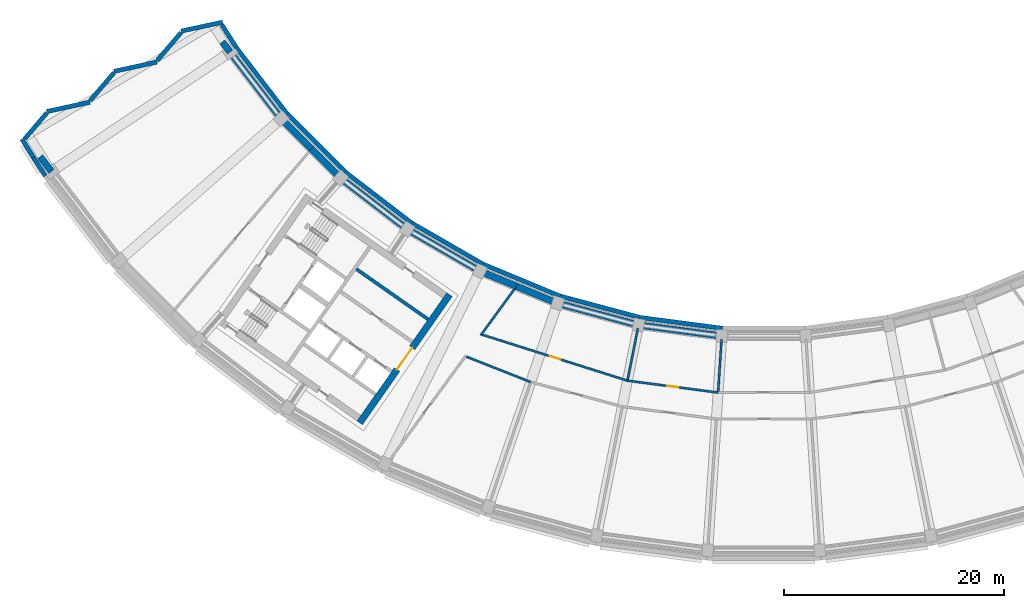
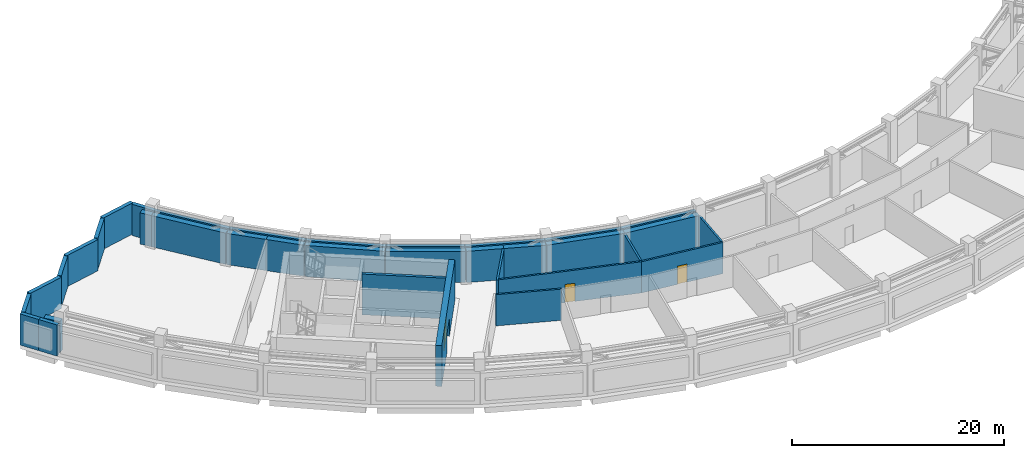
# One storey, part 6 of 24: 35 walls, 3 doors, 3 openings.
"""IFC4 building model written with IfcOpenShell, lengths in metres."""

from ifc_helpers import new_model, si_unit, direction, frame, frame_2d, origin, place, context, subcontext, project, spatial, rectangle, extrude, material, layer, layer_set, type_object, element, fill, save


model = new_model("IFC4")

# Units and contexts
model_context = context("Model", 3, precision=1e-05, world=origin(), true_north=direction((0.0, 1.0)))
body_context = subcontext(model_context, "Body", "Model", "MODEL_VIEW")
ifc_project = project(units=[si_unit("LENGTHUNIT", "METRE"), si_unit("AREAUNIT", "SQUARE_METRE"), si_unit("VOLUMEUNIT", "CUBIC_METRE"), si_unit("PLANEANGLEUNIT", "RADIAN"), si_unit("MASSUNIT", "GRAM", prefix="KILO")], contexts=[model_context])

# Site, building, storey
site_placement = place(None, origin())
site = spatial("IfcSite", under=ifc_project, at=site_placement, CompositionType="ELEMENT")
building_placement = place(site_placement, origin())
building = spatial("IfcBuilding", under=site, at=building_placement, Name="Qamariyya Broadcast Tower", CompositionType="ELEMENT")
storey_placement = place(building_placement, frame((0.0, 0.0, 253.10009765625)))
storey = spatial("IfcBuildingStorey", under=building, at=storey_placement, Name="L61", CompositionType="ELEMENT", Elevation=253.10009765625)

# Wall, opening, door
ifc_material_1 = material(Name="Concrete C60/75", Category="concrete")
ifc_layer_1 = layer(ifc_material_1, 0.60009765625)
ifc_layer_set_1 = layer_set([ifc_layer_1], Name="Core wall 600 mm Concrete C60/75")
wall_type_1 = type_object("IfcWallType", Name="Core wall 600 mm Concrete C60/75", PredefinedType="SHEAR", material=ifc_layer_set_1)
wall_1_placement = place(storey_placement, frame((-36.66748046875, -66.005126953125, 0.0), z_axis=(0.0, 0.0, 1.0), x_axis=(0.573568499524, 0.819157601658, 0.0)))
wall_1 = element("IfcWall", 1, at=wall_1_placement, inside=storey, type_object=wall_type_1, Name="k-W-L61-WA", PredefinedType="SHEAR", context=body_context, shape_type="SweptSolid", body=[
    extrude(rectangle(XDim=14.19970703125, YDim=0.60009765625, at=frame_2d((7.099853515625, 0.0))), origin(), (0.0, 0.0, 1.0), 4.699951171875),
])
opening_1_placement = place(wall_1_placement, frame((5.89990234375, 0.0, 0.0)))
opening_1 = element("IfcOpeningElement", 2, at=opening_1_placement, cuts=wall_1, Name="Opening KD3-W1", PredefinedType="OPENING", context=body_context, shape_type="SweptSolid", body=[
    extrude(rectangle(XDim=2.39990234375, YDim=2.10009765625, at=frame_2d((1.199951171875, 1.050048828125))), frame((0.0, 0.31005859375, 0.0), z_axis=(0.0, -1.0, 0.0), x_axis=(1.0, 0.0, 0.0)), (0.0, 0.0, 1.0), 0.6201171875),
])
ifc_material_2 = material(Name="Steel fire-resisting door leaf", Category="steel")
door_type_1 = type_object("IfcDoorType", Name="Lift lobby door KD3", OperationType="DOUBLE_DOOR_SINGLE_SWING", PredefinedType="DOOR", material=ifc_material_2)
door_1_placement = place(opening_1_placement, origin())
door_1 = element("IfcDoor", 3, at=door_1_placement, inside=storey, type_object=door_type_1, Name="k-W-L61-WA-D1", OperationType="DOUBLE_DOOR_SINGLE_SWING", OverallHeight=2.10009765625, OverallWidth=2.39990234375, PredefinedType="DOOR", context=body_context, shape_type="SweptSolid", body=[
    extrude(rectangle(XDim=2.39990234375, YDim=2.10009765625, at=frame_2d((1.199951171875, 1.050048828125))), frame((0.0, 0.02490234375, 0.0), z_axis=(0.0, -1.0, 0.0), x_axis=(1.0, 0.0, 0.0)), (0.0, 0.0, 1.0), 0.050048828125),
])
fill(opening_1, door_1)

# Walls
ifc_layer_2 = layer(ifc_material_1, 0.300048828125)
ifc_layer_set_2 = layer_set([ifc_layer_2], Name="Lift shaft wall 300 mm Concrete C60/75")
wall_type_2 = type_object("IfcWallType", Name="Lift shaft wall 300 mm Concrete C60/75", PredefinedType="SOLIDWALL", material=ifc_layer_set_2)
wall_2_placement = place(storey_placement, frame((-30.460693359375, -56.61767578125, 0.0), z_axis=(0.0, 0.0, 1.0), x_axis=(-0.819142461705, 0.573590121456, 0.0)))
element("IfcWall", 4, at=wall_2_placement, inside=storey, type_object=wall_type_2, Name="k-W-L61-NB0", PredefinedType="SOLIDWALL", context=body_context, shape_type="SweptSolid", body=[
    extrude(rectangle(XDim=7.949951171875, YDim=0.300048828125, at=frame_2d((3.97509765625, 0.0))), origin(), (0.0, 0.0, 1.0), 4.699951171875),
])
ifc_material_3 = material(Name="Masonry block wall", Category="masonry")
ifc_layer_3 = layer(ifc_material_3, 0.199951171875)
ifc_layer_set_3 = layer_set([ifc_layer_3], Name="Plant room wall 200 EI 120")
wall_type_3 = type_object("IfcWallType", Name="Plant room wall 200 EI 120", PredefinedType="PARTITIONING", material=ifc_layer_set_3)
wall_3_placement = place(storey_placement, frame((-26.984619140625, -60.007080078125, 0.0), z_axis=(0.0, 0.0, 1.0), x_axis=(0.930256649469, -0.366909479463, 0.0)))
element("IfcWall", 5, at=wall_3_placement, inside=storey, type_object=wall_type_3, Name="Partition L61-016", PredefinedType="PARTITIONING", context=body_context, shape_type="SweptSolid", body=[
    extrude(rectangle(XDim=6.271484375, YDim=0.199951171875, at=frame_2d((3.1357421875, 0.0))), origin(), (0.0, 0.0, 1.0), 3.599853515625),
])

# Wall, opening, door
wall_4_placement = place(storey_placement, frame((-25.536376953125, -58.017822265625, 0.0), z_axis=(0.0, 0.0, 1.0), x_axis=(0.953461291076, -0.301515449719, 0.0)))
wall_4 = element("IfcWall", 6, at=wall_4_placement, inside=storey, type_object=wall_type_3, Name="Partition L61-018", PredefinedType="PARTITIONING", context=body_context, shape_type="SweptSolid", body=[
    extrude(rectangle(XDim=13.810546875, YDim=0.199951171875, at=frame_2d((6.9052734375, 0.0))), origin(), (0.0, 0.0, 1.0), 3.599853515625),
])
opening_2_placement = place(wall_4_placement, frame((6.4052734375, 0.0, 0.0)))
opening_2 = element("IfcOpeningElement", 7, at=opening_2_placement, cuts=wall_4, Name="Opening L61-D08", PredefinedType="OPENING", context=body_context, shape_type="SweptSolid", body=[
    extrude(rectangle(XDim=1.0, YDim=2.10009765625, at=frame_2d((0.5, 1.050048828125))), frame((0.0, 0.10986328125, 0.0), z_axis=(0.0, -1.0, 0.0), x_axis=(1.0, 0.0, 0.0)), (0.0, 0.0, 1.0), 0.219970703125),
])
ifc_material_4 = material(Name="Insulated metal door leaf")
door_type_2 = type_object("IfcDoorType", Name="Plant door 1000 x 2100 FD120", OperationType="NOTDEFINED", PredefinedType="DOOR", material=ifc_material_4)
door_2_placement = place(opening_2_placement, origin())
door_2 = element("IfcDoor", 8, at=door_2_placement, inside=storey, type_object=door_type_2, Name="Door L61-D08", OperationType="SINGLE_SWING_RIGHT", OverallHeight=2.10009765625, OverallWidth=1.0, PredefinedType="DOOR", context=body_context, shape_type="SweptSolid", body=[
    extrude(rectangle(XDim=1.0, YDim=2.10009765625, at=frame_2d((0.5, 1.050048828125))), frame((0.0, 0.02490234375, 0.0), z_axis=(0.0, -1.0, 0.0), x_axis=(1.0, 0.0, 0.0)), (0.0, 0.0, 1.0), 0.050048828125),
])
fill(opening_2, door_2)

# Wall
wall_5_placement = place(storey_placement, frame((-22.62109375, -53.85986328125, 0.0), z_axis=(0.0, 0.0, 1.0), x_axis=(-0.589260761918, -0.80794291535, 0.0)))
element("IfcWall", 9, at=wall_5_placement, inside=storey, type_object=wall_type_3, Name="Partition L61-021", PredefinedType="PARTITIONING", context=body_context, shape_type="SweptSolid", body=[
    extrude(rectangle(XDim=5.209228515625, YDim=0.199951171875, at=frame_2d((2.6044921875, 0.0))), origin(), (0.0, 0.0, 1.0), 3.599853515625),
])

# Wall, opening, door
wall_6_placement = place(storey_placement, frame((-12.36865234375, -62.181884765625, 0.0), z_axis=(0.0, 0.0, 1.0), x_axis=(0.991447881484, -0.130503250152, 0.0)))
wall_6 = element("IfcWall", 10, at=wall_6_placement, inside=storey, type_object=wall_type_3, Name="Partition L61-028", PredefinedType="PARTITIONING", context=body_context, shape_type="SweptSolid", body=[
    extrude(rectangle(XDim=8.293212890625, YDim=0.199951171875, at=frame_2d((4.146484375, 0.0))), origin(), (0.0, 0.0, 1.0), 3.599853515625),
])
opening_3_placement = place(wall_6_placement, frame((3.646484375, 0.0, 0.0)))
opening_3 = element("IfcOpeningElement", 11, at=opening_3_placement, cuts=wall_6, Name="Opening L61-D09", PredefinedType="OPENING", context=body_context, shape_type="SweptSolid", body=[
    extrude(rectangle(XDim=1.0, YDim=2.10009765625, at=frame_2d((0.5, 1.050048828125))), frame((0.0, 0.10986328125, 0.0), z_axis=(0.0, -1.0, 0.0), x_axis=(1.0, 0.0, 0.0)), (0.0, 0.0, 1.0), 0.219970703125),
])
door_3_placement = place(opening_3_placement, origin())
door_3 = element("IfcDoor", 12, at=door_3_placement, inside=storey, type_object=door_type_2, Name="Door L61-D09", OperationType="SINGLE_SWING_RIGHT", OverallHeight=2.10009765625, OverallWidth=1.0, PredefinedType="DOOR", context=body_context, shape_type="SweptSolid", body=[
    extrude(rectangle(XDim=1.0, YDim=2.10009765625, at=frame_2d((0.5, 1.050048828125))), frame((0.0, 0.02490234375, 0.0), z_axis=(0.0, -1.0, 0.0), x_axis=(1.0, 0.0, 0.0)), (0.0, 0.0, 1.0), 0.050048828125),
])
fill(opening_3, door_3)

# Walls
wall_7_placement = place(storey_placement, frame((-11.422607421875, -57.425048828125, 0.0), z_axis=(0.0, 0.0, 1.0), x_axis=(-0.195058392203, -0.980791631098, 0.0)))
element("IfcWall", 13, at=wall_7_placement, inside=storey, type_object=wall_type_3, Name="Partition L61-029", PredefinedType="PARTITIONING", context=body_context, shape_type="SweptSolid", body=[
    extrude(rectangle(XDim=4.75, YDim=0.199951171875, at=frame_2d((2.375, 0.0))), origin(), (0.0, 0.0, 1.0), 3.599853515625),
])
wall_8_placement = place(storey_placement, frame((-3.829345703125, -58.424560546875, 0.0), z_axis=(0.0, 0.0, 1.0), x_axis=(-0.065427369886, -0.997857334126, 0.0)))
element("IfcWall", 14, at=wall_8_placement, inside=storey, type_object=wall_type_3, Name="Partition L61-035", PredefinedType="PARTITIONING", context=body_context, shape_type="SweptSolid", body=[
    extrude(rectangle(XDim=4.750244140625, YDim=0.199951171875, at=frame_2d((2.375, 0.0))), origin(), (0.0, 0.0, 1.0), 3.599853515625),
])
ifc_material_5 = material(Name="Terracotta", Category="masonry")
ifc_layer_4 = layer(ifc_material_5, 0.39990234375)
ifc_layer_set_4 = layer_set([ifc_layer_4], Name="Terracotta clad plant wall 400")
wall_type_4 = type_object("IfcWallType", Name="Terracotta clad plant wall 400", PredefinedType="SOLIDWALL", material=ifc_layer_set_4)
wall_9_placement = place(storey_placement, frame((-49.119873046875, -29.6435546875, 0.0), z_axis=(0.0, 0.0, 1.0), x_axis=(-0.977521044082, -0.210837872253, 0.0)))
element("IfcWall", 15, at=wall_9_placement, inside=storey, type_object=wall_type_4, Name="e-wl-L61-capW0", PredefinedType="SOLIDWALL", context=body_context, shape_type="SweptSolid", body=[
    extrude(rectangle(XDim=3.833984375, YDim=0.39990234375, at=frame_2d((1.9169921875, 0.0))), origin(), (0.0, 0.0, 1.0), 3.599853515625),
])
wall_10_placement = place(storey_placement, frame((-52.890869140625, -30.59130859375, 0.0), z_axis=(0.0, 0.0, 1.0), x_axis=(-0.649109075573, -0.760695345068, 0.0)))
element("IfcWall", 16, at=wall_10_placement, inside=storey, type_object=wall_type_4, Name="e-wl-L61-capW1", PredefinedType="SOLIDWALL", context=body_context, shape_type="SweptSolid", body=[
    extrude(rectangle(XDim=3.32568359375, YDim=0.39990234375, at=frame_2d((1.662841796875, 0.0))), origin(), (0.0, 0.0, 1.0), 3.599853515625),
])
wall_11_placement = place(storey_placement, frame((-55.07275390625, -33.26025390625, 0.0), z_axis=(0.0, 0.0, 1.0), x_axis=(-0.977490521889, -0.210979334573, 0.0)))
element("IfcWall", 17, at=wall_11_placement, inside=storey, type_object=wall_type_4, Name="e-wl-L61-capW2", PredefinedType="SOLIDWALL", context=body_context, shape_type="SweptSolid", body=[
    extrude(rectangle(XDim=3.977294921875, YDim=0.39990234375, at=frame_2d((1.98876953125, 0.0))), origin(), (0.0, 0.0, 1.0), 3.599853515625),
])
wall_12_placement = place(storey_placement, frame((-58.983642578125, -34.23876953125, 0.0), z_axis=(0.0, 0.0, 1.0), x_axis=(-0.649047876816, -0.760747562337, 0.0)))
element("IfcWall", 18, at=wall_12_placement, inside=storey, type_object=wall_type_4, Name="e-wl-L61-capW3", PredefinedType="SOLIDWALL", context=body_context, shape_type="SweptSolid", body=[
    extrude(rectangle(XDim=3.324462890625, YDim=0.39990234375, at=frame_2d((1.662109375, 0.0))), origin(), (0.0, 0.0, 1.0), 3.599853515625),
])
wall_13_placement = place(storey_placement, frame((-61.16455078125, -36.9072265625, 0.0), z_axis=(0.0, 0.0, 1.0), x_axis=(-0.977476134156, -0.211045983511, 0.0)))
element("IfcWall", 19, at=wall_13_placement, inside=storey, type_object=wall_type_4, Name="e-wl-L61-capW4", PredefinedType="SOLIDWALL", context=body_context, shape_type="SweptSolid", body=[
    extrude(rectangle(XDim=3.978271484375, YDim=0.39990234375, at=frame_2d((1.9892578125, 0.0))), origin(), (0.0, 0.0, 1.0), 3.599853515625),
])
wall_14_placement = place(storey_placement, frame((-65.076171875, -37.88623046875, 0.0), z_axis=(0.0, 0.0, 1.0), x_axis=(-0.648973614046, -0.760810914927, 0.0)))
element("IfcWall", 20, at=wall_14_placement, inside=storey, type_object=wall_type_4, Name="e-wl-L61-capW5", PredefinedType="SOLIDWALL", context=body_context, shape_type="SweptSolid", body=[
    extrude(rectangle(XDim=3.078125, YDim=0.39990234375, at=frame_2d((1.5390625, 0.0))), origin(), (0.0, 0.0, 1.0), 3.599853515625),
])
wall_15_placement = place(storey_placement, frame((-47.869140625, -31.944580078125, 0.0), z_axis=(0.0, 0.0, 1.0), x_axis=(-0.534803050784, 0.844976743391, 0.0)))
element("IfcWall", 21, at=wall_15_placement, inside=storey, type_object=wall_type_4, Name="e-wl-L61-in00", PredefinedType="SOLIDWALL", context=body_context, shape_type="SweptSolid", body=[
    extrude(rectangle(XDim=2.42578125, YDim=0.39990234375, at=frame_2d((1.212890625, 0.0))), origin(), (0.0, 0.0, 1.0), 3.599853515625),
])
wall_16_placement = place(storey_placement, frame((-43.25341796875, -37.965576171875, 0.0), z_axis=(0.0, 0.0, 1.0), x_axis=(-0.608757884363, 0.793356060181, 0.0)))
element("IfcWall", 22, at=wall_16_placement, inside=storey, type_object=wall_type_4, Name="e-wl-L61-in10", PredefinedType="SOLIDWALL", context=body_context, shape_type="SweptSolid", body=[
    extrude(rectangle(XDim=7.56884765625, YDim=0.39990234375, at=frame_2d((3.784423828125, 0.0))), origin(), (0.0, 0.0, 1.0), 3.599853515625),
])
wall_17_placement = place(storey_placement, frame((-37.9814453125, -43.23291015625, 0.0), z_axis=(0.0, 0.0, 1.0), x_axis=(-0.707106781187, 0.707106781187, 0.0)))
element("IfcWall", 23, at=wall_17_placement, inside=storey, type_object=wall_type_4, Name="e-wl-L61-in20", PredefinedType="SOLIDWALL", context=body_context, shape_type="SweptSolid", body=[
    extrude(rectangle(XDim=7.4267578125, YDim=0.39990234375, at=frame_2d((3.71337890625, 0.0))), origin(), (0.0, 0.0, 1.0), 3.599853515625),
])
wall_18_placement = place(storey_placement, frame((-31.953369140625, -47.86669921875, 0.0), z_axis=(0.0, 0.0, 1.0), x_axis=(-0.793356365089, 0.608757486995, 0.0)))
element("IfcWall", 24, at=wall_18_placement, inside=storey, type_object=wall_type_4, Name="e-wl-L61-in30", PredefinedType="SOLIDWALL", context=body_context, shape_type="SweptSolid", body=[
    extrude(rectangle(XDim=7.578125, YDim=0.39990234375, at=frame_2d((3.7890625, 0.0))), origin(), (0.0, 0.0, 1.0), 3.599853515625),
])
wall_19_placement = place(storey_placement, frame((-25.497802734375, -51.590087890625, 0.0), z_axis=(0.0, 0.0, 1.0), x_axis=(-0.866021353871, 0.500007014591, 0.0)))
element("IfcWall", 25, at=wall_19_placement, inside=storey, type_object=wall_type_4, Name="e-wl-L61-in40", PredefinedType="SOLIDWALL", context=body_context, shape_type="SweptSolid", body=[
    extrude(rectangle(XDim=7.4267578125, YDim=0.39990234375, at=frame_2d((3.71337890625, 0.0))), origin(), (0.0, 0.0, 1.0), 3.599853515625),
])
wall_20_placement = place(storey_placement, frame((-18.475830078125, -54.505859375, 0.0), z_axis=(0.0, 0.0, 1.0), x_axis=(-0.923884115122, 0.382672368777, 0.0)))
element("IfcWall", 26, at=wall_20_placement, inside=storey, type_object=wall_type_4, Name="e-wl-L61-in50", PredefinedType="SOLIDWALL", context=body_context, shape_type="SweptSolid", body=[
    extrude(rectangle(XDim=7.578125, YDim=0.39990234375, at=frame_2d((3.7890625, 0.0))), origin(), (0.0, 0.0, 1.0), 3.599853515625),
])
wall_21_placement = place(storey_placement, frame((-11.276611328125, -56.431396484375, 0.0), z_axis=(0.0, 0.0, 1.0), x_axis=(-0.965924866111, 0.25882262851, 0.0)))
element("IfcWall", 27, at=wall_21_placement, inside=storey, type_object=wall_type_4, Name="e-wl-L61-in60", PredefinedType="SOLIDWALL", context=body_context, shape_type="SweptSolid", body=[
    extrude(rectangle(XDim=7.426513671875, YDim=0.39990234375, at=frame_2d((3.71337890625, 0.0))), origin(), (0.0, 0.0, 1.0), 3.599853515625),
])
wall_22_placement = place(storey_placement, frame((-3.7392578125, -57.430419921875, 0.0), z_axis=(0.0, 0.0, 1.0), x_axis=(-0.991446288508, 0.130515351599, 0.0)))
element("IfcWall", 28, at=wall_22_placement, inside=storey, type_object=wall_type_4, Name="e-wl-L61-in70", PredefinedType="SOLIDWALL", context=body_context, shape_type="SweptSolid", body=[
    extrude(rectangle(XDim=7.57763671875, YDim=0.39990234375, at=frame_2d((3.788818359375, 0.0))), origin(), (0.0, 0.0, 1.0), 3.599853515625),
])
wall_23_placement = place(storey_placement, frame((-67.335693359375, -40.25537109375, 0.0), z_axis=(0.0, 0.0, 1.0), x_axis=(0.534789845783, -0.844985100962, 0.0)))
element("IfcWall", 29, at=wall_23_placement, inside=storey, type_object=wall_type_4, Name="e-wl-L61-out00", PredefinedType="SOLIDWALL", context=body_context, shape_type="SweptSolid", body=[
    extrude(rectangle(XDim=1.99365234375, YDim=0.39990234375, at=frame_2d((0.996826171875, 0.0))), origin(), (0.0, 0.0, 1.0), 3.599853515625),
])
wall_24_placement = place(storey_placement, frame((-66.26953125, -41.93994140625, 0.0), z_axis=(0.0, 0.0, 1.0), x_axis=(0.534788596857, -0.844985891404, 0.0)))
element("IfcWall", 30, at=wall_24_placement, inside=storey, type_object=wall_type_4, Name="e-wl-L61-out01", PredefinedType="SOLIDWALL", context=body_context, shape_type="SweptSolid", body=[
    extrude(rectangle(XDim=1.962158203125, YDim=0.39990234375, at=frame_2d((0.98095703125, 0.0))), origin(), (0.0, 0.0, 1.0), 3.599853515625),
])
ifc_layer_5 = layer(ifc_material_3, 0.60009765625)
ifc_layer_set_5 = layer_set([ifc_layer_5], Name="Truss casing wall 600 EI 120")
wall_type_5 = type_object("IfcWallType", Name="Truss casing wall 600 EI 120", PredefinedType="PARTITIONING", material=ifc_layer_set_5)
wall_25_placement = place(storey_placement, frame((-65.67529296875, -41.855224609375, 0.0), z_axis=(0.0, 0.0, 1.0), x_axis=(0.608765812446, -0.793349976743, 0.0)))
element("IfcWall", 31, at=wall_25_placement, inside=storey, type_object=wall_type_5, Name="Partition L61-001", PredefinedType="PARTITIONING", context=body_context, shape_type="SweptSolid", body=[
    extrude(rectangle(XDim=1.686279296875, YDim=0.60009765625, at=frame_2d((0.84326171875, 0.0))), origin(), (0.0, 0.0, 1.0), 3.599853515625),
])
wall_26_placement = place(storey_placement, frame((-49.14697265625, -31.431640625, 0.0), z_axis=(0.0, 0.0, 1.0), x_axis=(0.608812675786, -0.793314014626, 0.0)))
element("IfcWall", 32, at=wall_26_placement, inside=storey, type_object=wall_type_5, Name="Partition L61-006", PredefinedType="PARTITIONING", context=body_context, shape_type="SweptSolid", body=[
    extrude(rectangle(XDim=1.169677734375, YDim=0.60009765625, at=frame_2d((0.5849609375, 0.0))), origin(), (0.0, 0.0, 1.0), 3.599853515625),
])
wall_27_placement = place(storey_placement, frame((-48.431396484375, -32.3642578125, 0.0), z_axis=(0.0, 0.0, 1.0), x_axis=(0.608775025132, -0.793342907434, 0.0)))
element("IfcWall", 33, at=wall_27_placement, inside=storey, type_object=wall_type_5, Name="Partition L61-007", PredefinedType="PARTITIONING", context=body_context, shape_type="SweptSolid", body=[
    extrude(rectangle(XDim=7.593994140625, YDim=0.60009765625, at=frame_2d((3.796875, 0.0))), origin(), (0.0, 0.0, 1.0), 3.599853515625),
])
wall_28_placement = place(storey_placement, frame((-43.778564453125, -38.4228515625, 0.0), z_axis=(0.0, 0.0, 1.0), x_axis=(0.707075152498, -0.707138408461, 0.0)))
element("IfcWall", 34, at=wall_28_placement, inside=storey, type_object=wall_type_5, Name="Partition L61-008", PredefinedType="PARTITIONING", context=body_context, shape_type="SweptSolid", body=[
    extrude(rectangle(XDim=3.859619140625, YDim=0.60009765625, at=frame_2d((1.9296875, 0.0))), origin(), (0.0, 0.0, 1.0), 3.599853515625),
])
wall_29_placement = place(storey_placement, frame((-41.049560546875, -41.152099609375, 0.0), z_axis=(0.0, 0.0, 1.0), x_axis=(0.707139643126, -0.70707391772, 0.0)))
element("IfcWall", 35, at=wall_29_placement, inside=storey, type_object=wall_type_5, Name="Partition L61-011", PredefinedType="PARTITIONING", context=body_context, shape_type="SweptSolid", body=[
    extrude(rectangle(XDim=3.714599609375, YDim=0.60009765625, at=frame_2d((1.857421875, 0.0))), origin(), (0.0, 0.0, 1.0), 3.599853515625),
])
for number, where, z_axis, x_axis, name in (
    (36, (-38.388916015625, -43.808349609375, 0.0), (0.0, 0.0, 1.0), (0.793356751967, -0.6087569828, 0.0), "Partition L61-012"),
    (37, (-32.34228515625, -48.4443359375, 0.0), (0.0, 0.0, 1.0), (0.866020793316, -0.500007985481, 0.0), "Partition L61-014"),
):
    element("IfcWall", number, at=place(storey_placement, frame(where, z_axis=z_axis, x_axis=x_axis)), inside=storey, type_object=wall_type_5, Name=name, PredefinedType="PARTITIONING", context=body_context, shape_type="SweptSolid", body=[
        extrude(rectangle(XDim=7.57421875, YDim=0.60009765625, at=frame_2d((3.787109375, 0.0))), origin(), (0.0, 0.0, 1.0), 3.599853515625),
    ])
wall_30_placement = place(storey_placement, frame((-25.742431640625, -52.25146484375, 0.0), z_axis=(0.0, 0.0, 1.0), x_axis=(0.923870126847, -0.382706138858, 0.0)))
element("IfcWall", 38, at=wall_30_placement, inside=storey, type_object=wall_type_5, Name="Partition L61-017", PredefinedType="PARTITIONING", context=body_context, shape_type="SweptSolid", body=[
    extrude(rectangle(XDim=3.56982421875, YDim=0.60009765625, at=frame_2d((1.784912109375, 0.0))), origin(), (0.0, 0.0, 1.0), 3.599853515625),
])
wall_31_placement = place(storey_placement, frame((-22.4443359375, -53.61767578125, 0.0), z_axis=(0.0, 0.0, 1.0), x_axis=(0.923891994044, -0.382653346177, 0.0)))
element("IfcWall", 39, at=wall_31_placement, inside=storey, type_object=wall_type_5, Name="Partition L61-022", PredefinedType="PARTITIONING", context=body_context, shape_type="SweptSolid", body=[
    extrude(rectangle(XDim=4.004150390625, YDim=0.60009765625, at=frame_2d((2.001953125, 0.0))), origin(), (0.0, 0.0, 1.0), 3.599853515625),
])
wall_32_placement = place(storey_placement, frame((-18.701904296875, -55.16455078125, 0.0), z_axis=(0.0, 0.0, 1.0), x_axis=(0.965921655755, -0.258834609245, 0.0)))
element("IfcWall", 40, at=wall_32_placement, inside=storey, type_object=wall_type_5, Name="Partition L61-024", PredefinedType="PARTITIONING", context=body_context, shape_type="SweptSolid", body=[
    extrude(rectangle(XDim=7.5966796875, YDim=0.60009765625, at=frame_2d((3.79833984375, 0.0))), origin(), (0.0, 0.0, 1.0), 3.599853515625),
])
wall_33_placement = place(storey_placement, frame((-11.364013671875, -57.130859375, 0.0), z_axis=(0.0, 0.0, 1.0), x_axis=(0.99144731422, -0.130507559654, 0.0)))
element("IfcWall", 41, at=wall_33_placement, inside=storey, type_object=wall_type_5, Name="Partition L61-030", PredefinedType="PARTITIONING", context=body_context, shape_type="SweptSolid", body=[
    extrude(rectangle(XDim=7.619384765625, YDim=0.60009765625, at=frame_2d((3.8095703125, 0.0))), origin(), (0.0, 0.0, 1.0), 3.599853515625),
])

save(model, "model.ifc")
